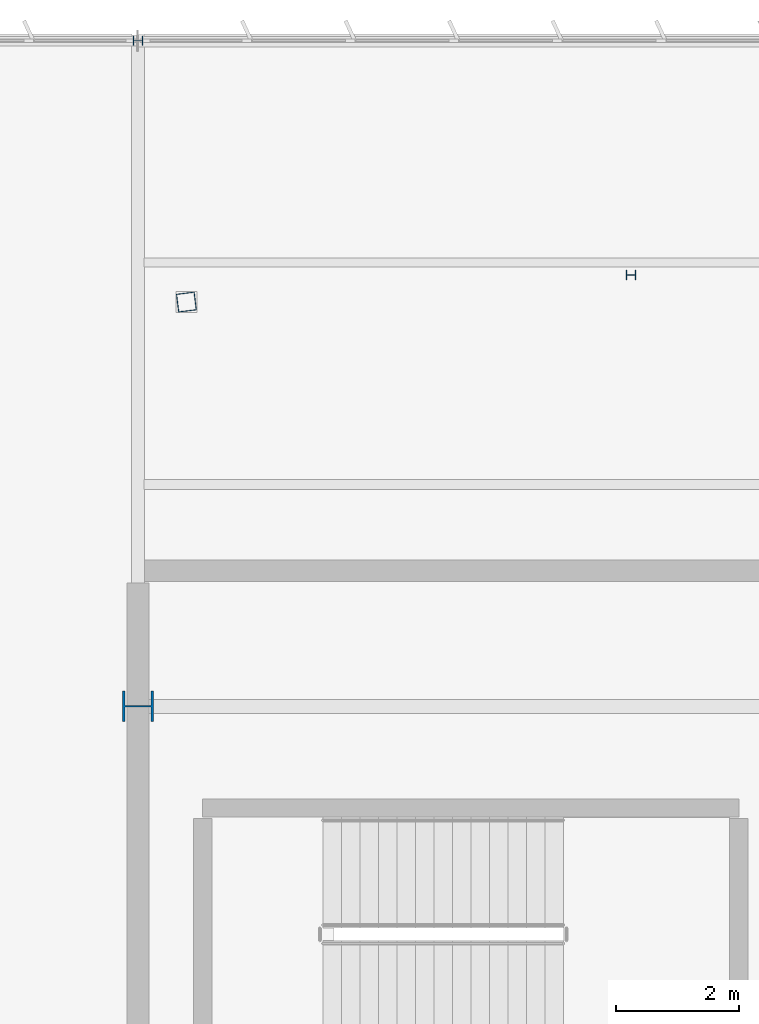
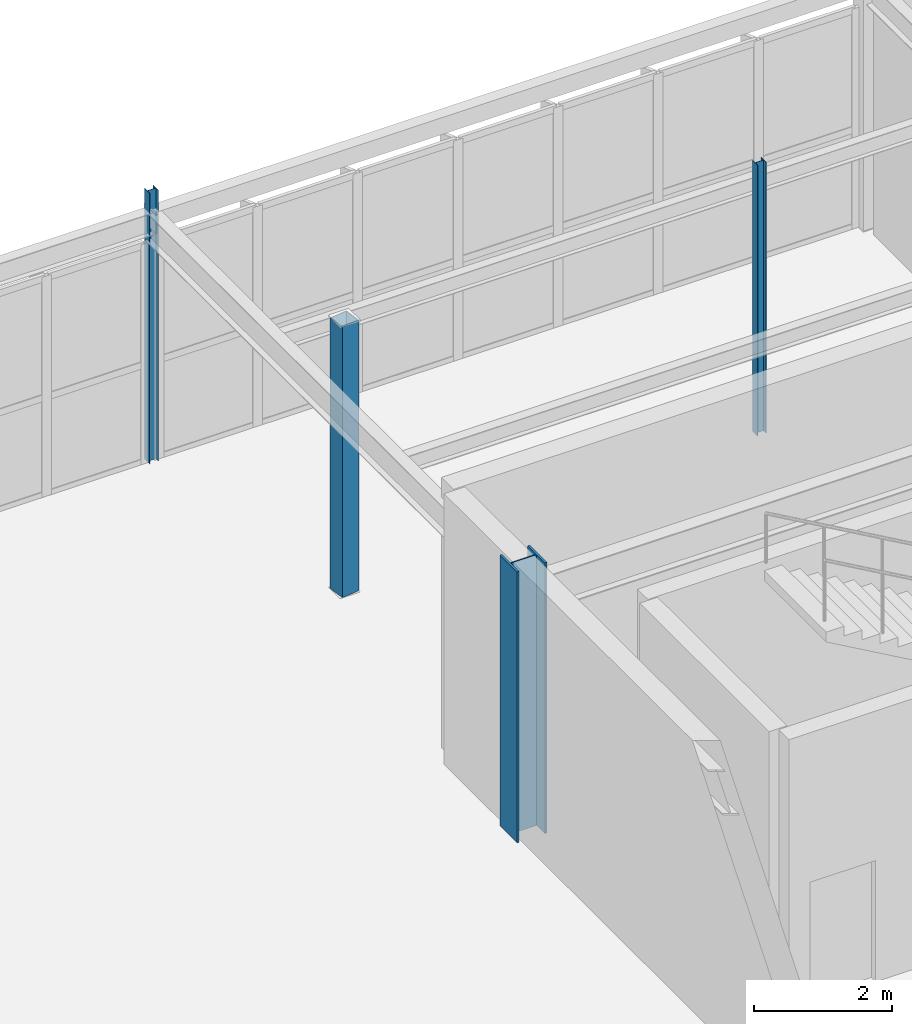
# One storey, part 33 of 226: 4 columns.
"""IFC4 building model written with IfcOpenShell, lengths in metres."""

import ifcopenshell
import ifcopenshell.guid

model = None  # the IFC model being written
_history = None  # IfcOwnerHistory: only IFC2X3 demands one
_inside = {}  # id of a spatial element -> (the spatial element, [elements in it])
_under = {}  # id of a project, library or spatial element -> (it, [spatial elements below it])
_declared = {}  # id of a project -> (the project, [libraries it declares])
_typed = {}  # id of a type object -> (the type object, [elements of that type])
_made_of = {}  # id of a material, layer set ... -> (it, [elements and type objects made of it])


def new_model(schema):
    """Start an empty IFC model of exactly this schema.

    Asked for "IFC4X3", IfcOpenShell would pick the latest addendum, in which some entities
    have other attributes; the version numbers below select the first issue.
    IFC2X3 requires an IfcOwnerHistory on every rooted entity: one is made here for all.
    """
    global model, _history
    if schema == "IFC4X3":
        model = ifcopenshell.file(schema_version=(4, 3, 0, 0))
    else:
        model = ifcopenshell.file(schema=schema)
    _inside.clear()
    _under.clear()
    _declared.clear()
    _typed.clear()
    _made_of.clear()
    _history = None
    if model.schema == "IFC2X3":
        org = make("IfcOrganization", Name="unknown")
        user = make(
            "IfcPersonAndOrganization",
            ThePerson=make("IfcPerson", FamilyName="unknown"),
            TheOrganization=org,
        )
        app = make(
            "IfcApplication",
            ApplicationDeveloper=org,
            Version="unknown",
            ApplicationFullName="unknown",
            ApplicationIdentifier="unknown",
        )
        _history = make(
            "IfcOwnerHistory",
            OwningUser=user,
            OwningApplication=app,
            ChangeAction="ADDED",
            CreationDate=0,
        )
    return model


def make(cls, **values):
    """One entity of the class cls with the attributes given. An attribute that is None is left unset."""
    return model.create_entity(
        cls, **{name: value for name, value in values.items() if value is not None}
    )


def rooted(cls, **values):
    """An entity with a GlobalId (a new one), such as an element, a storey or a relation."""
    return make(cls, GlobalId=ifcopenshell.guid.new(), OwnerHistory=_history, **values)


def si_unit(unit_type, name, prefix=None):
    """IfcSIUnit, for example si_unit("LENGTHUNIT", "METRE", prefix="MILLI")."""
    return make("IfcSIUnit", UnitType=unit_type, Prefix=prefix, Name=name)


def assignment(units):
    """IfcUnitAssignment: the units of a project."""
    return None if units is None else make("IfcUnitAssignment", Units=units)


def point(xyz):
    """IfcCartesianPoint."""
    return None if xyz is None else make("IfcCartesianPoint", Coordinates=xyz)


def direction(xyz):
    """IfcDirection."""
    return None if xyz is None else make("IfcDirection", DirectionRatios=xyz)


def frame(location, z_axis=None, x_axis=None):
    """IfcAxis2Placement3D, a coordinate frame: its origin and axes. An axis left out is left unset."""
    return make(
        "IfcAxis2Placement3D",
        Location=point(location),
        Axis=direction(z_axis),
        RefDirection=direction(x_axis),
    )


def frame_2d(location, x_axis=None):
    """IfcAxis2Placement2D, a coordinate frame in the plane: its origin and x axis."""
    return make(
        "IfcAxis2Placement2D", Location=point(location), RefDirection=direction(x_axis)
    )


def origin():
    """The frame at (0, 0, 0) with its axes left unset."""
    return frame((0.0, 0.0, 0.0))


def origin_2d():
    """The frame at (0, 0) in the plane with its x axis left unset."""
    return frame_2d((0.0, 0.0))


def place(relative_to, where):
    """IfcLocalPlacement: puts the frame where relative to a parent placement (None: the world)."""
    return make(
        "IfcLocalPlacement", PlacementRelTo=relative_to, RelativePlacement=where
    )


def context(
    kind, dimensions, precision=None, world=None, true_north=None, identifier=None
):
    """IfcGeometricRepresentationContext, for example the 3D "Model" context."""
    return make(
        "IfcGeometricRepresentationContext",
        ContextIdentifier=identifier,
        ContextType=kind,
        CoordinateSpaceDimension=dimensions,
        Precision=precision,
        WorldCoordinateSystem=world,
        TrueNorth=true_north,
    )


def subcontext(parent, identifier, kind, view, scale=None):
    """IfcGeometricRepresentationSubContext, for example "Body" below "Model"."""
    return make(
        "IfcGeometricRepresentationSubContext",
        ContextIdentifier=identifier,
        ContextType=kind,
        ParentContext=parent,
        TargetScale=scale,
        TargetView=view,
    )


def project(units=None, contexts=None):
    """IfcProject with its units and contexts."""
    return rooted(
        "IfcProject",
        Name="project",
        RepresentationContexts=contexts,
        UnitsInContext=assignment(units),
    )


def spatial(cls, under=None, at=None, **own):
    """A site, building, storey or space (cls), placed at a placement, below another one or the project."""
    s = rooted(cls, ObjectPlacement=at, **own)
    if under is not None:
        _under.setdefault(under.id(), (under, []))[1].append(s)
    return s


def profile(cls, at=None, kind="AREA", **sizes):
    """A parametric profile (cls). Its sizes go by their IFC names, for example OverallWidth=200.0."""
    return make(cls, ProfileType=kind, Position=at, **sizes)


def hollow_rectangle(**sizes):
    """IfcRectangleHollowProfileDef."""
    return profile("IfcRectangleHollowProfileDef", **sizes)


def i_section(**sizes):
    """IfcIShapeProfileDef."""
    return profile("IfcIShapeProfileDef", **sizes)


def extrude(swept, where, along, depth):
    """IfcExtrudedAreaSolid: the profile swept, set in the frame where, extruded along a direction by depth."""
    return make(
        "IfcExtrudedAreaSolid",
        SweptArea=swept,
        Position=where,
        ExtrudedDirection=direction(along),
        Depth=depth,
    )


def shape(context_of_items, identifier, shape_type, items):
    """IfcShapeRepresentation: the items that make up one representation, for example the "Body"."""
    return make(
        "IfcShapeRepresentation",
        ContextOfItems=context_of_items,
        RepresentationIdentifier=identifier,
        RepresentationType=shape_type,
        Items=items,
    )


def material(Name=None, Category=None):
    """IfcMaterial."""
    return make("IfcMaterial", Name=Name, Category=Category)


def material_profile(
    of_material, cross_section, Name=None, Category=None, Priority=None
):
    """IfcMaterialProfile: a cross section and its material."""
    return make(
        "IfcMaterialProfile",
        Name=Name,
        Material=of_material,
        Profile=cross_section,
        Priority=Priority,
        Category=Category,
    )


def profile_set(profiles, Name=None, composite=None):
    """IfcMaterialProfileSet."""
    return make(
        "IfcMaterialProfileSet",
        Name=Name,
        MaterialProfiles=profiles,
        CompositeProfile=composite,
    )


def made_of(thing, what):
    """Note that an element or type object is made of a material, layer set ...; save() writes the relation."""
    if what is not None:
        _made_of.setdefault(what.id(), (what, []))[1].append(thing)
    return thing


def type_object(cls, material=None, **own):
    """A type object (cls), such as IfcWallType, which elements share."""
    return made_of(rooted(cls, **own), material)


def element(
    cls,
    number,
    at=None,
    inside=None,
    cuts=None,
    type_object=None,
    material=None,
    context=None,
    identifier="Body",
    shape_type=None,
    held_by="IfcProductDefinitionShape",
    body=None,
    shapes=None,
    **own,
):
    """One element of the class cls, such as IfcWall. Its Tag is "e" and its number.

    at: its placement. inside: the storey or other place that contains it. cuts: it is an
    opening in that element (IfcRelVoidsElement). A single representation is given by context,
    identifier, shape_type and body (its items); several are given by shapes. held_by: the class
    of the entity that holds the representations. save() writes the other relations.
    """
    e = rooted(cls, Tag="e%d" % number, ObjectPlacement=at, **own)
    if body is not None:
        shapes = [shape(context, identifier, shape_type, body)]
    if shapes is not None:
        e.Representation = make(held_by, Representations=shapes)
    if inside is not None:
        _inside.setdefault(inside.id(), (inside, []))[1].append(e)
    if cuts is not None:
        rooted(
            "IfcRelVoidsElement", RelatingBuildingElement=cuts, RelatedOpeningElement=e
        )
    if type_object is not None:
        _typed.setdefault(type_object.id(), (type_object, []))[1].append(e)
    return made_of(e, material)


def aggregate(whole, parts):
    """IfcRelAggregates: a whole, such as a stair, and the parts it consists of."""
    return rooted("IfcRelAggregates", RelatingObject=whole, RelatedObjects=parts)


def save(model, path):
    """Write the relations noted so far, then the file.

    IfcRelAggregates (storeys below a building ...), IfcRelContainedInSpatialStructure (elements
    in a storey), IfcRelDefinesByType, IfcRelAssociatesMaterial and IfcRelDeclares: one each for
    every whole, place, type object, material and project.
    """
    for whole, parts in _under.values():
        aggregate(whole, parts)
    for where, things in _inside.values():
        rooted(
            "IfcRelContainedInSpatialStructure",
            RelatedElements=things,
            RelatingStructure=where,
        )
    for kind, things in _typed.values():
        rooted("IfcRelDefinesByType", RelatedObjects=things, RelatingType=kind)
    for what, things in _made_of.values():
        rooted("IfcRelAssociatesMaterial", RelatedObjects=things, RelatingMaterial=what)
    for by, libraries in _declared.values():
        rooted("IfcRelDeclares", RelatingContext=by, RelatedDefinitions=libraries)
    model.write(path)


model = new_model("IFC4")

# Units and contexts
model_context = context("Model", 3, precision=1e-05, world=origin(), true_north=direction((0.0, 1.0)))
body_context = subcontext(model_context, "Body", "Model", "MODEL_VIEW")
ifc_project = project(units=[si_unit("LENGTHUNIT", "METRE"), si_unit("AREAUNIT", "SQUARE_METRE"), si_unit("VOLUMEUNIT", "CUBIC_METRE"), si_unit("PLANEANGLEUNIT", "RADIAN"), si_unit("MASSUNIT", "GRAM", prefix="KILO")], contexts=[model_context])

# Site, building, storey
site_placement = place(None, origin())
site = spatial("IfcSite", under=ifc_project, at=site_placement, CompositionType="ELEMENT")
building_placement = place(site_placement, origin())
building = spatial("IfcBuilding", under=site, at=building_placement, Name="Tarnwether General Hospital", CompositionType="ELEMENT")
storey_placement = place(building_placement, frame((0.0, 0.0, 4.800048828125)))
storey = spatial("IfcBuildingStorey", under=building, at=storey_placement, Name="L01", CompositionType="ELEMENT", Elevation=4.800048828125)

# Columns
ifc_material_1 = material(Name="Steel Grade 350 (350 MPa)", Category="steel")
ifc_material_profile_1 = material_profile(ifc_material_1, i_section(OverallWidth=0.5, OverallDepth=0.5, WebThickness=0.02197265625, FlangeThickness=0.035888671875, at=origin_2d()), Name="500WC380")
ifc_profile_set_1 = profile_set([ifc_material_profile_1], Name="Steel Grade 350 (350 MPa)")
column_type_1 = type_object("IfcColumnType", Name="COL-01", PredefinedType="COLUMN", material=ifc_profile_set_1)
column_1_placement = place(storey_placement, frame((84.0, 115.199951171875, 0.0), z_axis=(0.0, 0.0, 1.0), x_axis=(0.0, 1.0, 0.0)))
element("IfcColumn", 1, at=column_1_placement, inside=storey, type_object=column_type_1, Name="Column COLG-L01-8400_11520", PredefinedType="COLUMN", context=body_context, shape_type="SweptSolid", body=[
    extrude(i_section(OverallWidth=0.5, OverallDepth=0.5, WebThickness=0.02197265625, FlangeThickness=0.035888671875, at=origin_2d()), origin(), (0.0, 0.0, 1.0), 4.800048828125),
])
ifc_material_2 = material(Name="Steel Grade C350L0 (350 MPa)", Category="steel")
ifc_material_profile_2 = material_profile(ifc_material_2, hollow_rectangle(XDim=0.300048828125, YDim=0.300048828125, WallThickness=0.012451171875, at=origin_2d()), Name="SHS300x300x12.5")
ifc_profile_set_2 = profile_set([ifc_material_profile_2], Name="Steel Grade C350L0 (350 MPa)")
column_type_2 = type_object("IfcColumnType", Name="COL-30", PredefinedType="COLUMN", material=ifc_profile_set_2)
column_2_placement = place(storey_placement, frame((84.784912109375, 121.759033203125, 0.0), z_axis=(0.0, 0.0, 1.0), x_axis=(-0.121869343405, 0.992546151641, 0.0)))
element("IfcColumn", 2, at=column_2_placement, inside=storey, type_object=column_type_2, Name="Column COLG-L01-8478_12176", PredefinedType="COLUMN", context=body_context, shape_type="SweptSolid", body=[
    extrude(hollow_rectangle(XDim=0.300048828125, YDim=0.300048828125, WallThickness=0.012451171875, at=origin_2d()), origin(), (0.0, 0.0, 1.0), 4.800048828125),
])
ifc_material_3 = material(Name="Steel Grade 350 (350 MPa)", Category="steel")
ifc_material_profile_3 = material_profile(ifc_material_3, i_section(OverallWidth=0.152099609375, OverallDepth=0.152099609375, WebThickness=0.006103515625, FlangeThickness=0.0068359375, at=origin_2d()), Name="150UC23.4")
ifc_profile_set_3 = profile_set([ifc_material_profile_3], Name="Steel Grade 350 (350 MPa)")
column_type_3 = type_object("IfcColumnType", Name="COL-32", PredefinedType="COLUMN", material=ifc_profile_set_3)
for number, where, z_axis, x_axis, name in (
    (3, (84.0, 126.0, 0.0), (0.0, 0.0, 1.0), (0.0, 1.0, 0.0), "Column COLG-L01-8400_12600"),
    (4, (92.0, 122.199951171875, 0.0), (0.0, 0.0, 1.0), (0.0, 1.0, 0.0), "Column COLG-L01-9200_12220"),
):
    element("IfcColumn", number, at=place(storey_placement, frame(where, z_axis=z_axis, x_axis=x_axis)), inside=storey, type_object=column_type_3, Name=name, PredefinedType="COLUMN", context=body_context, shape_type="SweptSolid", body=[
        extrude(i_section(OverallWidth=0.152099609375, OverallDepth=0.152099609375, WebThickness=0.006103515625, FlangeThickness=0.0068359375, at=origin_2d()), origin(), (0.0, 0.0, 1.0), 4.800048828125),
    ])

save(model, "model.ifc")
